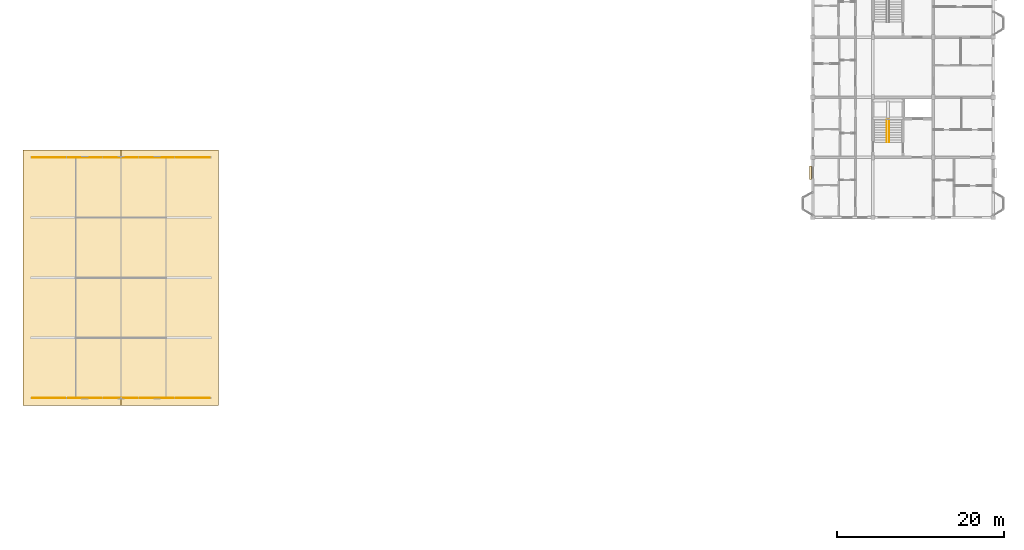
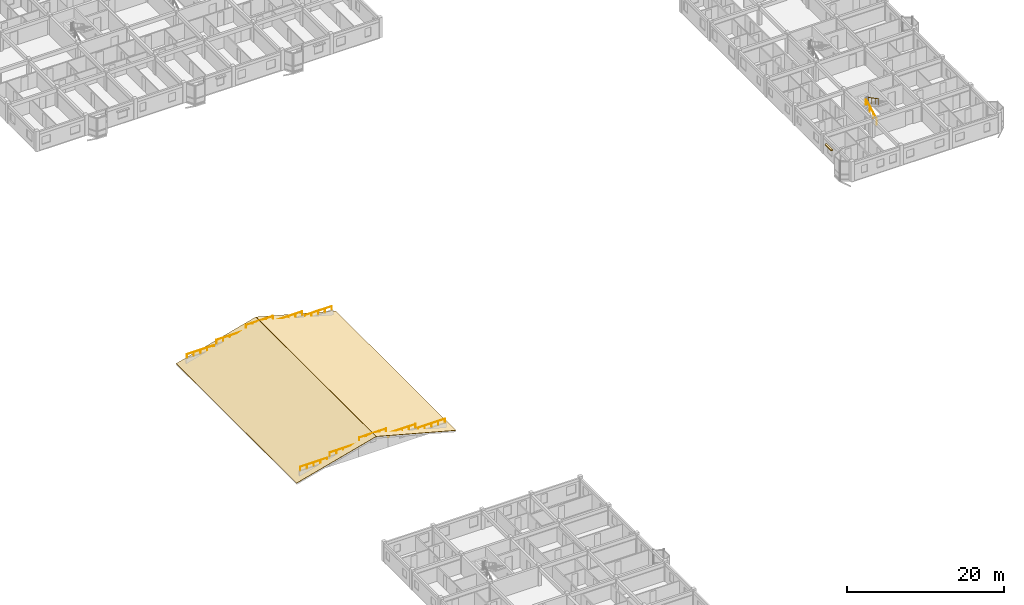
# One storey, part 63 of 65: 12 railings, 3 coverings.
"""IFC4 building model written with IfcOpenShell, lengths in metres."""

import ifcopenshell
import ifcopenshell.guid

model = None  # the IFC model being written
_history = None  # IfcOwnerHistory: only IFC2X3 demands one
_inside = {}  # id of a spatial element -> (the spatial element, [elements in it])
_under = {}  # id of a project, library or spatial element -> (it, [spatial elements below it])
_declared = {}  # id of a project -> (the project, [libraries it declares])
_typed = {}  # id of a type object -> (the type object, [elements of that type])
_made_of = {}  # id of a material, layer set ... -> (it, [elements and type objects made of it])


def new_model(schema):
    """Start an empty IFC model of exactly this schema.

    Asked for "IFC4X3", IfcOpenShell would pick the latest addendum, in which some entities
    have other attributes; the version numbers below select the first issue.
    IFC2X3 requires an IfcOwnerHistory on every rooted entity: one is made here for all.
    """
    global model, _history
    if schema == "IFC4X3":
        model = ifcopenshell.file(schema_version=(4, 3, 0, 0))
    else:
        model = ifcopenshell.file(schema=schema)
    _inside.clear()
    _under.clear()
    _declared.clear()
    _typed.clear()
    _made_of.clear()
    _history = None
    if model.schema == "IFC2X3":
        org = make("IfcOrganization", Name="unknown")
        user = make(
            "IfcPersonAndOrganization",
            ThePerson=make("IfcPerson", FamilyName="unknown"),
            TheOrganization=org,
        )
        app = make(
            "IfcApplication",
            ApplicationDeveloper=org,
            Version="unknown",
            ApplicationFullName="unknown",
            ApplicationIdentifier="unknown",
        )
        _history = make(
            "IfcOwnerHistory",
            OwningUser=user,
            OwningApplication=app,
            ChangeAction="ADDED",
            CreationDate=0,
        )
    return model


def make(cls, **values):
    """One entity of the class cls with the attributes given. An attribute that is None is left unset."""
    return model.create_entity(
        cls, **{name: value for name, value in values.items() if value is not None}
    )


def rooted(cls, **values):
    """An entity with a GlobalId (a new one), such as an element, a storey or a relation."""
    return make(cls, GlobalId=ifcopenshell.guid.new(), OwnerHistory=_history, **values)


def si_unit(unit_type, name, prefix=None):
    """IfcSIUnit, for example si_unit("LENGTHUNIT", "METRE", prefix="MILLI")."""
    return make("IfcSIUnit", UnitType=unit_type, Prefix=prefix, Name=name)


def assignment(units):
    """IfcUnitAssignment: the units of a project."""
    return None if units is None else make("IfcUnitAssignment", Units=units)


def point(xyz):
    """IfcCartesianPoint."""
    return None if xyz is None else make("IfcCartesianPoint", Coordinates=xyz)


def direction(xyz):
    """IfcDirection."""
    return None if xyz is None else make("IfcDirection", DirectionRatios=xyz)


def frame(location, z_axis=None, x_axis=None):
    """IfcAxis2Placement3D, a coordinate frame: its origin and axes. An axis left out is left unset."""
    return make(
        "IfcAxis2Placement3D",
        Location=point(location),
        Axis=direction(z_axis),
        RefDirection=direction(x_axis),
    )


def frame_2d(location, x_axis=None):
    """IfcAxis2Placement2D, a coordinate frame in the plane: its origin and x axis."""
    return make(
        "IfcAxis2Placement2D", Location=point(location), RefDirection=direction(x_axis)
    )


def origin():
    """The frame at (0, 0, 0) with its axes left unset."""
    return frame((0.0, 0.0, 0.0))


def origin_2d():
    """The frame at (0, 0) in the plane with its x axis left unset."""
    return frame_2d((0.0, 0.0))


def place(relative_to, where):
    """IfcLocalPlacement: puts the frame where relative to a parent placement (None: the world)."""
    return make(
        "IfcLocalPlacement", PlacementRelTo=relative_to, RelativePlacement=where
    )


def context(
    kind, dimensions, precision=None, world=None, true_north=None, identifier=None
):
    """IfcGeometricRepresentationContext, for example the 3D "Model" context."""
    return make(
        "IfcGeometricRepresentationContext",
        ContextIdentifier=identifier,
        ContextType=kind,
        CoordinateSpaceDimension=dimensions,
        Precision=precision,
        WorldCoordinateSystem=world,
        TrueNorth=true_north,
    )


def subcontext(parent, identifier, kind, view, scale=None):
    """IfcGeometricRepresentationSubContext, for example "Body" below "Model"."""
    return make(
        "IfcGeometricRepresentationSubContext",
        ContextIdentifier=identifier,
        ContextType=kind,
        ParentContext=parent,
        TargetScale=scale,
        TargetView=view,
    )


def project(units=None, contexts=None):
    """IfcProject with its units and contexts."""
    return rooted(
        "IfcProject",
        Name="project",
        RepresentationContexts=contexts,
        UnitsInContext=assignment(units),
    )


def spatial(cls, under=None, at=None, **own):
    """A site, building, storey or space (cls), placed at a placement, below another one or the project."""
    s = rooted(cls, ObjectPlacement=at, **own)
    if under is not None:
        _under.setdefault(under.id(), (under, []))[1].append(s)
    return s


def polyline(points):
    """IfcPolyline through the points."""
    return make("IfcPolyline", Points=[point(p) for p in points])


def profile(cls, at=None, kind="AREA", **sizes):
    """A parametric profile (cls). Its sizes go by their IFC names, for example OverallWidth=200.0."""
    return make(cls, ProfileType=kind, Position=at, **sizes)


def rectangle(**sizes):
    """IfcRectangleProfileDef."""
    return profile("IfcRectangleProfileDef", **sizes)


def circle(**sizes):
    """IfcCircleProfileDef."""
    return profile("IfcCircleProfileDef", **sizes)


def outline(outer, holes=None, kind="AREA"):
    """IfcArbitraryClosedProfileDef: a profile drawn as a closed curve; with holes, ...WithVoids."""
    if holes is None:
        return make("IfcArbitraryClosedProfileDef", ProfileType=kind, OuterCurve=outer)
    return make(
        "IfcArbitraryProfileDefWithVoids",
        ProfileType=kind,
        OuterCurve=outer,
        InnerCurves=holes,
    )


def extrude(swept, where, along, depth):
    """IfcExtrudedAreaSolid: the profile swept, set in the frame where, extruded along a direction by depth."""
    return make(
        "IfcExtrudedAreaSolid",
        SweptArea=swept,
        Position=where,
        ExtrudedDirection=direction(along),
        Depth=depth,
    )


def shape(context_of_items, identifier, shape_type, items):
    """IfcShapeRepresentation: the items that make up one representation, for example the "Body"."""
    return make(
        "IfcShapeRepresentation",
        ContextOfItems=context_of_items,
        RepresentationIdentifier=identifier,
        RepresentationType=shape_type,
        Items=items,
    )


def material(Name=None, Category=None):
    """IfcMaterial."""
    return make("IfcMaterial", Name=Name, Category=Category)


def layer(
    of_material, thickness, ventilated=None, Name=None, Category=None, Priority=None
):
    """IfcMaterialLayer: one layer of a wall or slab, of a material (None: an air gap)."""
    return make(
        "IfcMaterialLayer",
        Material=of_material,
        LayerThickness=thickness,
        IsVentilated=ventilated,
        Name=Name,
        Category=Category,
        Priority=Priority,
    )


def layer_set(layers, Name=None):
    """IfcMaterialLayerSet."""
    return make("IfcMaterialLayerSet", MaterialLayers=layers, LayerSetName=Name)


def made_of(thing, what):
    """Note that an element or type object is made of a material, layer set ...; save() writes the relation."""
    if what is not None:
        _made_of.setdefault(what.id(), (what, []))[1].append(thing)
    return thing


def type_object(cls, material=None, **own):
    """A type object (cls), such as IfcWallType, which elements share."""
    return made_of(rooted(cls, **own), material)


def element(
    cls,
    number,
    at=None,
    inside=None,
    cuts=None,
    type_object=None,
    material=None,
    context=None,
    identifier="Body",
    shape_type=None,
    held_by="IfcProductDefinitionShape",
    body=None,
    shapes=None,
    **own,
):
    """One element of the class cls, such as IfcWall. Its Tag is "e" and its number.

    at: its placement. inside: the storey or other place that contains it. cuts: it is an
    opening in that element (IfcRelVoidsElement). A single representation is given by context,
    identifier, shape_type and body (its items); several are given by shapes. held_by: the class
    of the entity that holds the representations. save() writes the other relations.
    """
    e = rooted(cls, Tag="e%d" % number, ObjectPlacement=at, **own)
    if body is not None:
        shapes = [shape(context, identifier, shape_type, body)]
    if shapes is not None:
        e.Representation = make(held_by, Representations=shapes)
    if inside is not None:
        _inside.setdefault(inside.id(), (inside, []))[1].append(e)
    if cuts is not None:
        rooted(
            "IfcRelVoidsElement", RelatingBuildingElement=cuts, RelatedOpeningElement=e
        )
    if type_object is not None:
        _typed.setdefault(type_object.id(), (type_object, []))[1].append(e)
    return made_of(e, material)


def aggregate(whole, parts):
    """IfcRelAggregates: a whole, such as a stair, and the parts it consists of."""
    return rooted("IfcRelAggregates", RelatingObject=whole, RelatedObjects=parts)


def save(model, path):
    """Write the relations noted so far, then the file.

    IfcRelAggregates (storeys below a building ...), IfcRelContainedInSpatialStructure (elements
    in a storey), IfcRelDefinesByType, IfcRelAssociatesMaterial and IfcRelDeclares: one each for
    every whole, place, type object, material and project.
    """
    for whole, parts in _under.values():
        aggregate(whole, parts)
    for where, things in _inside.values():
        rooted(
            "IfcRelContainedInSpatialStructure",
            RelatedElements=things,
            RelatingStructure=where,
        )
    for kind, things in _typed.values():
        rooted("IfcRelDefinesByType", RelatedObjects=things, RelatingType=kind)
    for what, things in _made_of.values():
        rooted("IfcRelAssociatesMaterial", RelatedObjects=things, RelatingMaterial=what)
    for by, libraries in _declared.values():
        rooted("IfcRelDeclares", RelatingContext=by, RelatedDefinitions=libraries)
    model.write(path)


model = new_model("IFC4")

# Units and contexts
model_context = context("Model", 3, precision=1e-05, world=origin(), true_north=direction((0.0, 1.0)))
body_context = subcontext(model_context, "Body", "Model", "MODEL_VIEW")
ifc_project = project(units=[si_unit("LENGTHUNIT", "METRE"), si_unit("AREAUNIT", "SQUARE_METRE"), si_unit("VOLUMEUNIT", "CUBIC_METRE"), si_unit("PLANEANGLEUNIT", "RADIAN"), si_unit("MASSUNIT", "GRAM", prefix="KILO"), si_unit("THERMODYNAMICTEMPERATUREUNIT", "KELVIN"), si_unit("POWERUNIT", "WATT")], contexts=[model_context])

# Site, building, storey
site_placement = place(None, origin())
site = spatial("IfcSite", under=ifc_project, at=site_placement, CompositionType="ELEMENT")
building_placement = place(site_placement, origin())
building = spatial("IfcBuilding", under=site, at=building_placement, Name="Tavuni Mirador Residences", CompositionType="ELEMENT")
storey_placement = place(building_placement, frame((0.0, 0.0, 29.699951171875)))
storey = spatial("IfcBuildingStorey", under=building, at=storey_placement, Name="L09", CompositionType="ELEMENT", Elevation=29.699951171875)

# Coverings
ifc_material_1 = material(Name="Natural coral limestone", Category="masonry")
ifc_layer_1 = layer(ifc_material_1, 0.054931640625, Name="Natural coral limestone", Category="masonry")
ifc_layer_set_1 = layer_set([ifc_layer_1], Name="Natural coral limestone")
covering_type_1 = type_object("IfcCoveringType", Name="CVT-CLAD-CORAL", PredefinedType="CLADDING", material=ifc_layer_set_1)
covering_placement = place(storey_placement, frame((96.92041015625, 91.760009765625, 1.9501953125), z_axis=(0.0, 0.0, 1.0), x_axis=(0.0, -1.0, 0.0)))
element("IfcCovering", 1, at=covering_placement, inside=storey, type_object=covering_type_1, Name="HOOD-1073", PredefinedType="CLADDING", context=body_context, shape_type="SweptSolid", body=[
    extrude(rectangle(XDim=1.60009765625, YDim=0.260009765625, at=origin_2d()), origin(), (0.0, 0.0, 1.0), 0.159912109375),
])
ifc_material_2 = material(Name="Glazed ceramic roof tile", Category="masonry")
ifc_layer_2 = layer(ifc_material_2, 0.044921875, Name="Glazed ceramic roof tile", Category="masonry")
ifc_layer_set_2 = layer_set([ifc_layer_2], Name="Glazed ceramic roof tile")
covering_type_2 = type_object("IfcCoveringType", Name="CVT-ROOF-TILE", PredefinedType="ROOFING", material=ifc_layer_set_2)
for number, where, z_axis, x_axis, name in (
    (2, (2.699951171875, 63.89990234375, -0.196533203125), (-0.259575572579, 0.0, 0.965722797764), (0.965722797764, 0.0, 0.259575572579), "COV-RF-BLK-B-W"),
    (3, (14.412109375, 63.89990234375, 2.945068359375), (0.259575572579, 0.0, 0.965722797764), (0.965722797764, 0.0, -0.259575572579), "COV-RF-BLK-B-E"),
):
    element("IfcCovering", number, at=place(storey_placement, frame(where, z_axis=z_axis, x_axis=x_axis)), inside=storey, type_object=covering_type_2, Name=name, PredefinedType="ROOFING", context=body_context, shape_type="SweptSolid", body=[
        extrude(outline(polyline([(0.0, 0.0), (12.10283976759751, 0.0), (12.10283976759751, 30.60009765625), (0.0, 30.60009765625), (0.0, 0.0)])), origin(), (0.0, 0.0, -1.0), 0.044921875),
    ])

# Railings
ifc_material_3 = material(Name="Structural steel S355", Category="steel")
railing_type_1 = type_object("IfcRailingType", Name="RT-CR650", PredefinedType="BALUSTRADE", material=ifc_material_3)
for number, where, name in (
    (4, (3.780029296875, 64.800048828125, 0.800048828125), "CREST-BLK-B-X0-0"),
    (5, (8.10009765625, 64.800048828125, 1.5), "CREST-BLK-B-X0-1"),
    (6, (12.419921875, 64.800048828125, 2.300048828125), "CREST-BLK-B-X0-2"),
    (7, (16.739990234375, 64.800048828125, 1.5), "CREST-BLK-B-X0-3"),
    (8, (21.06005859375, 64.800048828125, 0.800048828125), "CREST-BLK-B-X0-4"),
    (9, (3.780029296875, 93.60009765625, 0.800048828125), "CREST-BLK-B-X1-0"),
    (10, (8.10009765625, 93.60009765625, 1.5), "CREST-BLK-B-X1-1"),
    (11, (12.419921875, 93.60009765625, 2.300048828125), "CREST-BLK-B-X1-2"),
    (12, (16.739990234375, 93.60009765625, 1.5), "CREST-BLK-B-X1-3"),
    (13, (21.06005859375, 93.60009765625, 0.800048828125), "CREST-BLK-B-X1-4"),
):
    element("IfcRailing", number, at=place(storey_placement, frame(where)), inside=storey, type_object=railing_type_1, Name=name, PredefinedType="BALUSTRADE", context=body_context, shape_type="SweptSolid", body=[
        extrude(circle(Radius=0.02392578125, at=origin_2d()), frame((0.0, 0.0, 0.6259765625), z_axis=(1.0, 0.0, 0.0), x_axis=(0.0, 1.0, 0.0)), (0.0, 0.0, 1.0), 3.9599609375),
        extrude(circle(Radius=0.02099609375, at=origin_2d()), origin(), (0.0, 0.0, 1.0), 0.601806640625),
        extrude(circle(Radius=0.02099609375, at=origin_2d()), frame((0.989990234375, 0.0, 0.0)), (0.0, 0.0, 1.0), 0.601806640625),
        extrude(circle(Radius=0.02099609375, at=origin_2d()), frame((1.97998046875, 0.0, 0.0)), (0.0, 0.0, 1.0), 0.601806640625),
        extrude(circle(Radius=0.02099609375, at=origin_2d()), frame((2.969970703125, 0.0, 0.0)), (0.0, 0.0, 1.0), 0.601806640625),
        extrude(circle(Radius=0.02099609375, at=origin_2d()), frame((3.9599609375, 0.0, 0.0)), (0.0, 0.0, 1.0), 0.601806640625),
    ])
railing_type_2 = type_object("IfcRailingType", Name="RT-HR920", PredefinedType="HANDRAIL", material=ifc_material_3)
railing_1_placement = place(storey_placement, frame((106.050048828125, 95.39990234375, 0.157470703125)))
element("IfcRailing", 14, at=railing_1_placement, inside=storey, type_object=railing_type_2, Name="HR-ST7-L09-F1", PredefinedType="HANDRAIL", context=body_context, shape_type="SweptSolid", body=[
    extrude(circle(Radius=0.02392578125, at=origin_2d()), frame((0.0, 0.0, 0.89599609375), z_axis=(0.0, 0.885414376231, 0.464802519747), x_axis=(-1.0, 0.0, 0.0)), (0.0, 0.0, 1.0), 3.049560546875),
    extrude(circle(Radius=0.02099609375, at=origin_2d()), origin(), (0.0, 0.0, 1.0), 0.871826171875),
    extrude(circle(Radius=0.02099609375, at=origin_2d()), frame((0.0, 0.900146484375, 0.472412109375)), (0.0, 0.0, 1.0), 0.871826171875),
    extrude(circle(Radius=0.02099609375, at=origin_2d()), frame((0.0, 1.800048828125, 0.945068359375)), (0.0, 0.0, 1.0), 0.871826171875),
    extrude(circle(Radius=0.02099609375, at=origin_2d()), frame((0.0, 2.7001953125, 1.41748046875)), (0.0, 0.0, 1.0), 0.871826171875),
])
railing_2_placement = place(storey_placement, frame((106.35009765625, 98.10009765625, 1.732666015625)))
element("IfcRailing", 15, at=railing_2_placement, inside=storey, type_object=railing_type_2, Name="HR-ST7-L09-F2", PredefinedType="HANDRAIL", context=body_context, shape_type="SweptSolid", body=[
    extrude(circle(Radius=0.02392578125, at=origin_2d()), frame((0.0, 0.0, 0.89599609375), z_axis=(0.0, -0.885414376231, 0.464802519747), x_axis=(1.0, 0.0, 0.0)), (0.0, 0.0, 1.0), 3.049560546875),
    extrude(circle(Radius=0.02099609375, at=origin_2d()), origin(), (0.0, 0.0, 1.0), 0.871826171875),
    extrude(circle(Radius=0.02099609375, at=origin_2d()), frame((0.0, -0.900146484375, 0.472412109375)), (0.0, 0.0, 1.0), 0.871826171875),
    extrude(circle(Radius=0.02099609375, at=origin_2d()), frame((0.0, -1.800048828125, 0.945068359375)), (0.0, 0.0, 1.0), 0.871826171875),
    extrude(circle(Radius=0.02099609375, at=origin_2d()), frame((0.0, -2.7001953125, 1.41748046875)), (0.0, 0.0, 1.0), 0.871826171875),
])

save(model, "model.ifc")
